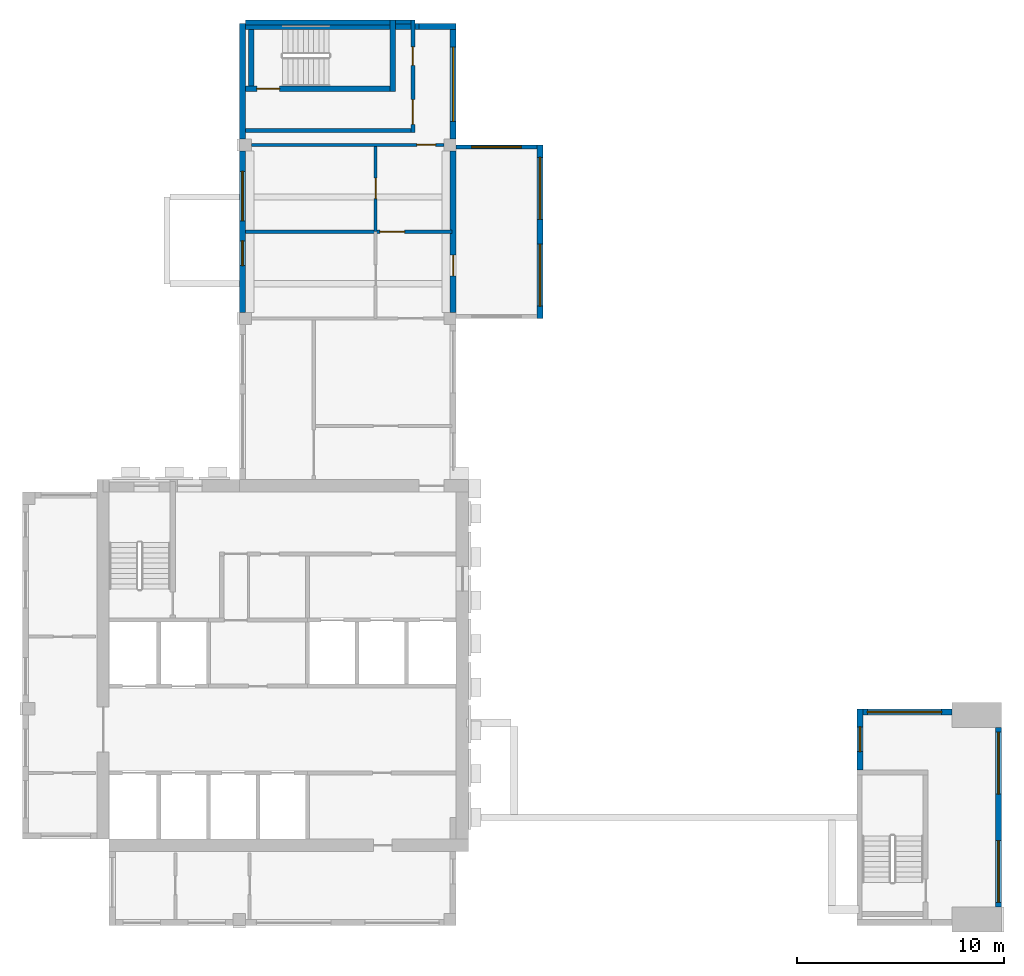
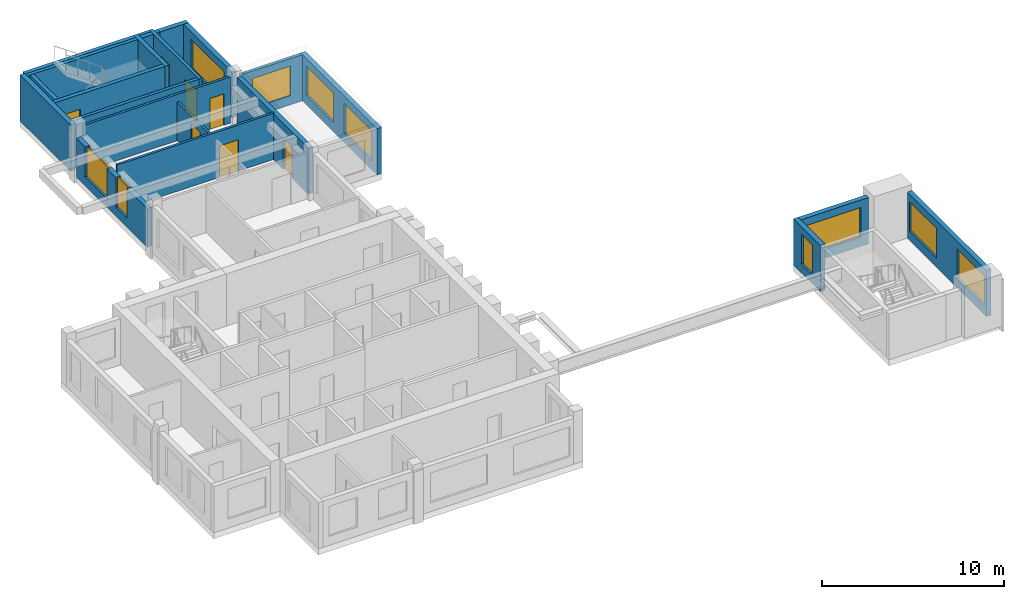
# One storey, part 4 of 8: 21 walls, 10 windows, 7 doors, 17 openings.
"""IFC4 building model written with IfcOpenShell, lengths in metres."""

from ifc_helpers import new_model, si_unit, direction, frame, frame_2d, origin, place, context, subcontext, project, spatial, rectangle, extrude, source, transform, mapped, material, layer, layer_set, type_object, element, fill, save


model = new_model("IFC4")

# Units and contexts
model_context = context("Model", 3, precision=1e-05, world=origin(), true_north=direction((0.0, 1.0)))
body_context = subcontext(model_context, "Body", "Model", "MODEL_VIEW")
ifc_project = project(units=[si_unit("LENGTHUNIT", "METRE"), si_unit("AREAUNIT", "SQUARE_METRE"), si_unit("VOLUMEUNIT", "CUBIC_METRE"), si_unit("PLANEANGLEUNIT", "RADIAN"), si_unit("MASSUNIT", "GRAM", prefix="KILO")], contexts=[model_context])

# Site, building, storey
site_placement = place(None, origin())
site = spatial("IfcSite", under=ifc_project, at=site_placement, CompositionType="ELEMENT")
building_placement = place(site_placement, origin())
building = spatial("IfcBuilding", under=site, at=building_placement, Name="Aurelian Terraces", CompositionType="ELEMENT")
storey_placement = place(building_placement, frame((0.0, 0.0, 344.0)))
storey = spatial("IfcBuildingStorey", under=building, at=storey_placement, Name="L81", CompositionType="ELEMENT", Elevation=344.0)

# Wall, opening, window
ifc_material_1 = material(Name="Concrete fc' 40 MPa", Category="concrete")
ifc_layer_1 = layer(ifc_material_1, 0.2)
ifc_layer_set_1 = layer_set([ifc_layer_1], Name="BOX BEARING WALL 200")
wall_type_1 = type_object("IfcWallType", Name="BOX BEARING WALL 200", PredefinedType="SOLIDWALL", material=ifc_layer_set_1)
shared_shape_1 = source(origin(), body_context, "Body", "SweptSolid", [
    extrude(rectangle(XDim=3.9, YDim=0.2, at=frame_2d((1.95, 0.0))), origin(), (0.0, 0.0, 1.0), 3.1),
])
wall_1_placement = place(storey_placement, frame((21.0, 37.7, 0.0), z_axis=(0.0, 0.0, 1.0), x_axis=(1.0, 0.0, 0.0)))
wall_1 = element("IfcWall", 1, at=wall_1_placement, inside=storey, type_object=wall_type_1, Name="Box return L81 J94.2", PredefinedType="SOLIDWALL", context=body_context, shape_type="MappedRepresentation", body=[
    mapped(shared_shape_1, transform((0.0, 0.0, 0.0), scale=1.0)),
])
shared_shape_2 = source(origin(), body_context, "Body", "SweptSolid", [
    extrude(rectangle(XDim=2.4, YDim=2.0, at=frame_2d((1.2, 1.0))), frame((0.0, 0.11, 0.0), z_axis=(0.0, -1.0, 0.0), x_axis=(1.0, 0.0, 0.0)), (0.0, 0.0, 1.0), 0.22),
])
opening_1_placement = place(wall_1_placement, frame((0.75, 0.0, 0.6)))
opening_1 = element("IfcOpeningElement", 2, at=opening_1_placement, cuts=wall_1, Name="Opening W2420", PredefinedType="OPENING", context=body_context, shape_type="MappedRepresentation", body=[
    mapped(shared_shape_2, transform((0.0, 0.0, 0.0), scale=1.0)),
])
ifc_material_2 = material(Name="Clear glazing", Category="glass")
window_type_1 = type_object("IfcWindowType", Name="W-2400x2000", PartitioningType="SINGLE_PANEL", PredefinedType="WINDOW", material=ifc_material_2)
shared_shape_3 = source(origin(), body_context, "Body", "SweptSolid", [
    extrude(rectangle(XDim=2.4, YDim=2.0, at=frame_2d((1.2, 1.0))), frame((0.0, 0.03, 0.0), z_axis=(0.0, -1.0, 0.0), x_axis=(1.0, 0.0, 0.0)), (0.0, 0.0, 1.0), 0.06),
])
window_1_placement = place(opening_1_placement, origin())
window_1 = element("IfcWindow", 3, at=window_1_placement, inside=storey, type_object=window_type_1, Name="Window L81 J94-S2", OverallHeight=2.0, OverallWidth=2.4, PartitioningType="SINGLE_PANEL", PredefinedType="WINDOW", context=body_context, shape_type="MappedRepresentation", body=[
    mapped(shared_shape_3, transform((0.0, 0.0, 0.0), scale=1.0)),
])
fill(opening_1, window_1)

# Walls
ifc_material_3 = material(Name="Terracotta rainscreen cladding", Category="masonry")
ifc_layer_2 = layer(ifc_material_3, 0.3)
ifc_layer_set_2 = layer_set([ifc_layer_2], Name="EW-300")
wall_type_2 = type_object("IfcWallType", Name="EW-300", PredefinedType="STANDARD", material=ifc_layer_set_2)
shared_shape_4 = source(origin(), body_context, "Body", "SweptSolid", [
    extrude(rectangle(XDim=1.8, YDim=0.3, at=frame_2d((0.9, 0.0))), origin(), (0.0, 0.0, 1.0), 3.1),
])
wall_2_placement = place(storey_placement, frame((21.0, 43.53, 0.0), z_axis=(0.0, 0.0, 1.0), x_axis=(-1.0, 0.0, 0.0)))
element("IfcWall", 4, at=wall_2_placement, inside=storey, type_object=wall_type_2, Name="External wall L81 F03.9", PredefinedType="STANDARD", context=body_context, shape_type="MappedRepresentation", body=[
    mapped(shared_shape_4, transform((0.0, 0.0, 0.0), scale=1.0)),
])
ifc_layer_3 = layer(ifc_material_1, 0.3)
ifc_layer_set_3 = layer_set([ifc_layer_3], Name="STAIR BAY WALL 300")
wall_type_3 = type_object("IfcWallType", Name="STAIR BAY WALL 300", PredefinedType="SOLIDWALL", material=ifc_layer_set_3)
shared_shape_5 = source(origin(), body_context, "Body", "SweptSolid", [
    extrude(rectangle(XDim=8.6, YDim=0.3, at=frame_2d((4.3, 0.0))), origin(), (0.0, 0.0, 1.0), 3.1),
])
wall_3_placement = place(storey_placement, frame((19.2, 43.53, 0.0), z_axis=(0.0, 0.0, 1.0), x_axis=(-1.0, 0.0, 0.0)))
element("IfcWall", 5, at=wall_3_placement, inside=storey, type_object=wall_type_3, Name="Stair bay wall L81 F03.9", PredefinedType="SOLIDWALL", context=body_context, shape_type="MappedRepresentation", body=[
    mapped(shared_shape_5, transform((0.0, 0.0, 0.0), scale=1.0)),
])

# Wall, opening, door
shared_shape_6 = source(origin(), body_context, "Body", "SweptSolid", [
    extrude(rectangle(XDim=7.8, YDim=0.3, at=frame_2d((3.9, 0.0))), origin(), (0.0, 0.0, 1.0), 3.1),
])
wall_4_placement = place(storey_placement, frame((20.85, 29.7, 0.0), z_axis=(0.0, 0.0, 1.0), x_axis=(0.0, 1.0, 0.0)))
wall_4 = element("IfcWall", 6, at=wall_4_placement, inside=storey, type_object=wall_type_2, Name="External wall L81 F02.7", PredefinedType="STANDARD", context=body_context, shape_type="MappedRepresentation", body=[
    mapped(shared_shape_6, transform((0.0, 0.0, 0.0), scale=1.0)),
])
shared_shape_7 = source(origin(), body_context, "Body", "SweptSolid", [
    extrude(rectangle(XDim=1.0, YDim=2.1, at=frame_2d((0.5, 1.05))), frame((0.0, 0.16, 0.0), z_axis=(0.0, -1.0, 0.0), x_axis=(1.0, 0.0, 0.0)), (0.0, 0.0, 1.0), 0.32),
])
opening_2_placement = place(wall_4_placement, frame((1.7667, 0.0, 0.0)))
opening_2 = element("IfcOpeningElement", 7, at=opening_2_placement, cuts=wall_4, Name="Opening 881001", PredefinedType="OPENING", context=body_context, shape_type="MappedRepresentation", body=[
    mapped(shared_shape_7, transform((0.0, 0.0, 0.0), scale=1.0)),
])
ifc_material_4 = material(Name="Timber door leaf", Category="wood")
door_type_1 = type_object("IfcDoorType", Name="Room door 1000x2100 left", OperationType="SINGLE_SWING_LEFT", PredefinedType="DOOR", material=ifc_material_4)
shared_shape_8 = source(origin(), body_context, "Body", "SweptSolid", [
    extrude(rectangle(XDim=1.0, YDim=2.1, at=frame_2d((0.5, 1.05))), frame((0.0, 0.025, 0.0), z_axis=(0.0, -1.0, 0.0), x_axis=(1.0, 0.0, 0.0)), (0.0, 0.0, 1.0), 0.05),
])
door_1_placement = place(opening_2_placement, origin())
door_1 = element("IfcDoor", 8, at=door_1_placement, inside=storey, type_object=door_type_1, Name="Door 881001", OperationType="SINGLE_SWING_LEFT", OverallHeight=2.1, OverallWidth=1.0, PredefinedType="DOOR", context=body_context, shape_type="MappedRepresentation", body=[
    mapped(shared_shape_8, transform((0.0, 0.0, 0.0), scale=1.0)),
])
fill(opening_2, door_1)

# Wall, openings, windows
shared_shape_9 = source(origin(), body_context, "Body", "SweptSolid", [
    extrude(rectangle(XDim=7.8, YDim=0.3, at=frame_2d((3.9, 0.0))), origin(), (0.0, 0.0, 1.0), 2.6),
])
wall_5_placement = place(storey_placement, frame((10.65, 37.5, 0.0), z_axis=(0.0, 0.0, 1.0), x_axis=(0.0, -1.0, 0.0)))
wall_5 = element("IfcWall", 9, at=wall_5_placement, inside=storey, type_object=wall_type_2, Name="External wall L81 F04.10", PredefinedType="STANDARD", context=body_context, shape_type="MappedRepresentation", body=[
    mapped(shared_shape_9, transform((0.0, 0.0, 0.0), scale=1.0)),
])
shared_shape_10 = source(origin(), body_context, "Body", "SweptSolid", [
    extrude(rectangle(XDim=1.2, YDim=2.0, at=frame_2d((0.6, 1.0))), frame((0.0, 0.16, 0.0), z_axis=(0.0, -1.0, 0.0), x_axis=(1.0, 0.0, 0.0)), (0.0, 0.0, 1.0), 0.32),
])
opening_3_placement = place(wall_5_placement, frame((4.3475, 0.0, 0.6)))
opening_3 = element("IfcOpeningElement", 10, at=opening_3_placement, cuts=wall_5, Name="Opening W1220", PredefinedType="OPENING", context=body_context, shape_type="MappedRepresentation", body=[
    mapped(shared_shape_10, transform((0.0, 0.0, 0.0), scale=1.0)),
])
shared_shape_11 = source(origin(), body_context, "Body", "SweptSolid", [
    extrude(rectangle(XDim=2.4, YDim=2.0, at=frame_2d((1.2, 1.0))), frame((0.0, 0.16, 0.0), z_axis=(0.0, -1.0, 0.0), x_axis=(1.0, 0.0, 0.0)), (0.0, 0.0, 1.0), 0.32),
])
opening_4_placement = place(wall_5_placement, frame((0.9737, 0.0, 0.6)))
opening_4 = element("IfcOpeningElement", 11, at=opening_4_placement, cuts=wall_5, Name="Opening W2420", PredefinedType="OPENING", context=body_context, shape_type="MappedRepresentation", body=[
    mapped(shared_shape_11, transform((0.0, 0.0, 0.0), scale=1.0)),
])
window_type_2 = type_object("IfcWindowType", Name="W-1200x2000", PartitioningType="SINGLE_PANEL", PredefinedType="WINDOW", material=ifc_material_2)
shared_shape_12 = source(origin(), body_context, "Body", "SweptSolid", [
    extrude(rectangle(XDim=1.2, YDim=2.0, at=frame_2d((0.6, 1.0))), frame((0.0, 0.03, 0.0), z_axis=(0.0, -1.0, 0.0), x_axis=(1.0, 0.0, 0.0)), (0.0, 0.0, 1.0), 0.06),
])
window_2_placement = place(opening_3_placement, origin())
window_2 = element("IfcWindow", 12, at=window_2_placement, inside=storey, type_object=window_type_2, Name="Window L81 L81-F04-10-2", OverallHeight=2.0, OverallWidth=1.2, PartitioningType="SINGLE_PANEL", PredefinedType="WINDOW", context=body_context, shape_type="MappedRepresentation", body=[
    mapped(shared_shape_12, transform((0.0, 0.0, 0.0), scale=1.0)),
])
fill(opening_3, window_2)
window_3_placement = place(opening_4_placement, origin())
window_3 = element("IfcWindow", 13, at=window_3_placement, inside=storey, type_object=window_type_1, Name="Window L81 L81-F04-10-G1-62", OverallHeight=2.0, OverallWidth=2.4, PartitioningType="SINGLE_PANEL", PredefinedType="WINDOW", context=body_context, shape_type="MappedRepresentation", body=[
    mapped(shared_shape_3, transform((0.0, 0.0, 0.0), scale=1.0)),
])
fill(opening_4, window_3)

# Wall, opening, window
shared_shape_13 = source(origin(), body_context, "Body", "SweptSolid", [
    extrude(rectangle(XDim=5.58, YDim=0.3, at=frame_2d((2.79, 0.0))), origin(), (0.0, 0.0, 1.0), 3.1),
])
wall_6_placement = place(storey_placement, frame((20.85, 38.1, 0.0), z_axis=(0.0, 0.0, 1.0), x_axis=(0.0, 1.0, 0.0)))
wall_6 = element("IfcWall", 14, at=wall_6_placement, inside=storey, type_object=wall_type_2, Name="External wall L81 F02.8", PredefinedType="STANDARD", context=body_context, shape_type="MappedRepresentation", body=[
    mapped(shared_shape_13, transform((0.0, 0.0, 0.0), scale=1.0)),
])
shared_shape_14 = source(origin(), body_context, "Body", "SweptSolid", [
    extrude(rectangle(XDim=3.6, YDim=2.0, at=frame_2d((1.8, 1.0))), frame((0.0, 0.16, 0.0), z_axis=(0.0, -1.0, 0.0), x_axis=(1.0, 0.0, 0.0)), (0.0, 0.0, 1.0), 0.32),
])
opening_5_placement = place(wall_6_placement, frame((0.84, 0.0, 0.6)))
opening_5 = element("IfcOpeningElement", 15, at=opening_5_placement, cuts=wall_6, Name="Opening W3620", PredefinedType="OPENING", context=body_context, shape_type="MappedRepresentation", body=[
    mapped(shared_shape_14, transform((0.0, 0.0, 0.0), scale=1.0)),
])
window_type_3 = type_object("IfcWindowType", Name="W-3600x2000", PartitioningType="SINGLE_PANEL", PredefinedType="WINDOW", material=ifc_material_2)
shared_shape_15 = source(origin(), body_context, "Body", "SweptSolid", [
    extrude(rectangle(XDim=3.6, YDim=2.0, at=frame_2d((1.8, 1.0))), frame((0.0, 0.03, 0.0), z_axis=(0.0, -1.0, 0.0), x_axis=(1.0, 0.0, 0.0)), (0.0, 0.0, 1.0), 0.06),
])
window_4_placement = place(opening_5_placement, origin())
window_4 = element("IfcWindow", 16, at=window_4_placement, inside=storey, type_object=window_type_3, Name="Window L81 L81-F02-08-0", OverallHeight=2.0, OverallWidth=3.6, PartitioningType="SINGLE_PANEL", PredefinedType="WINDOW", context=body_context, shape_type="MappedRepresentation", body=[
    mapped(shared_shape_15, transform((0.0, 0.0, 0.0), scale=1.0)),
])
fill(opening_5, window_4)

# Wall
shared_shape_16 = source(origin(), body_context, "Body", "SweptSolid", [
    extrude(rectangle(XDim=5.58, YDim=0.3, at=frame_2d((2.79, 0.0))), origin(), (0.0, 0.0, 1.0), 3.1),
])
wall_7_placement = place(storey_placement, frame((10.65, 43.68, 0.0), z_axis=(0.0, 0.0, 1.0), x_axis=(0.0, -1.0, 0.0)))
element("IfcWall", 17, at=wall_7_placement, inside=storey, type_object=wall_type_3, Name="Stair bay wall L81 F04.10", PredefinedType="SOLIDWALL", context=body_context, shape_type="MappedRepresentation", body=[
    mapped(shared_shape_16, transform((0.0, 0.0, 0.0), scale=1.0)),
])

# Wall, openings, windows
ifc_layer_4 = layer(ifc_material_1, 0.3)
ifc_layer_set_4 = layer_set([ifc_layer_4], Name="BOX BEARING WALL 300")
wall_type_4 = type_object("IfcWallType", Name="BOX BEARING WALL 300", PredefinedType="SOLIDWALL", material=ifc_layer_set_4)
shared_shape_17 = source(origin(), body_context, "Body", "SweptSolid", [
    extrude(rectangle(XDim=8.4, YDim=0.3, at=frame_2d((4.2, 0.0))), origin(), (0.0, 0.0, 1.0), 3.1),
])
wall_8_placement = place(storey_placement, frame((25.05, 29.4, 0.0), z_axis=(0.0, 0.0, 1.0), x_axis=(0.0, 1.0, 0.0)))
wall_8 = element("IfcWall", 18, at=wall_8_placement, inside=storey, type_object=wall_type_4, Name="Box wall L81 J94", PredefinedType="SOLIDWALL", context=body_context, shape_type="MappedRepresentation", body=[
    mapped(shared_shape_17, transform((0.0, 0.0, 0.0), scale=1.0)),
])
shared_shape_18 = source(origin(), body_context, "Body", "SweptSolid", [
    extrude(rectangle(XDim=3.0, YDim=2.0, at=frame_2d((1.5, 1.0))), frame((0.0, 0.16, 0.0), z_axis=(0.0, -1.0, 0.0), x_axis=(1.0, 0.0, 0.0)), (0.0, 0.0, 1.0), 0.32),
])
opening_6_placement = place(wall_8_placement, frame((0.6, 0.0, 0.6)))
opening_6 = element("IfcOpeningElement", 19, at=opening_6_placement, cuts=wall_8, Name="Opening W3020", PredefinedType="OPENING", context=body_context, shape_type="MappedRepresentation", body=[
    mapped(shared_shape_18, transform((0.0, 0.0, 0.0), scale=1.0)),
])
opening_7_placement = place(wall_8_placement, frame((4.8, 0.0, 0.6)))
opening_7 = element("IfcOpeningElement", 20, at=opening_7_placement, cuts=wall_8, Name="Opening W3020", PredefinedType="OPENING", context=body_context, shape_type="MappedRepresentation", body=[
    mapped(shared_shape_18, transform((0.0, 0.0, 0.0), scale=1.0)),
])
window_type_4 = type_object("IfcWindowType", Name="W-3000x2000", PartitioningType="SINGLE_PANEL", PredefinedType="WINDOW", material=ifc_material_2)
shared_shape_19 = source(origin(), body_context, "Body", "SweptSolid", [
    extrude(rectangle(XDim=3.0, YDim=2.0, at=frame_2d((1.5, 1.0))), frame((0.0, 0.03, 0.0), z_axis=(0.0, -1.0, 0.0), x_axis=(1.0, 0.0, 0.0)), (0.0, 0.0, 1.0), 0.06),
])
window_5_placement = place(opening_6_placement, origin())
window_5 = element("IfcWindow", 21, at=window_5_placement, inside=storey, type_object=window_type_4, Name="Window L81 J94-F1", OverallHeight=2.0, OverallWidth=3.0, PartitioningType="SINGLE_PANEL", PredefinedType="WINDOW", context=body_context, shape_type="MappedRepresentation", body=[
    mapped(shared_shape_19, transform((0.0, 0.0, 0.0), scale=1.0)),
])
fill(opening_6, window_5)
window_6_placement = place(opening_7_placement, origin())
window_6 = element("IfcWindow", 22, at=window_6_placement, inside=storey, type_object=window_type_4, Name="Window L81 J94-F2", OverallHeight=2.0, OverallWidth=3.0, PartitioningType="SINGLE_PANEL", PredefinedType="WINDOW", context=body_context, shape_type="MappedRepresentation", body=[
    mapped(shared_shape_19, transform((0.0, 0.0, 0.0), scale=1.0)),
])
fill(opening_7, window_6)

shared_shape_20 = source(origin(), body_context, "Body", "SweptSolid", [
    extrude(rectangle(XDim=8.7, YDim=0.3, at=frame_2d((4.35, 0.0))), origin(), (0.0, 0.0, 1.0), 3.1),
])
wall_9_placement = place(storey_placement, frame((47.25, 0.9, 0.0), z_axis=(0.0, 0.0, 1.0), x_axis=(0.0, 1.0, 0.0)))
wall_9 = element("IfcWall", 23, at=wall_9_placement, inside=storey, type_object=wall_type_2, Name="External wall L81 F14.21", PredefinedType="STANDARD", context=body_context, shape_type="MappedRepresentation", body=[
    mapped(shared_shape_20, transform((0.0, 0.0, 0.0), scale=1.0)),
])
opening_8_placement = place(wall_9_placement, frame((0.225, 0.0, 0.6)))
opening_8 = element("IfcOpeningElement", 24, at=opening_8_placement, cuts=wall_9, Name="Opening W3020", PredefinedType="OPENING", context=body_context, shape_type="MappedRepresentation", body=[
    mapped(shared_shape_18, transform((0.0, 0.0, 0.0), scale=1.0)),
])
opening_9_placement = place(wall_9_placement, frame((5.475, 0.0, 0.6)))
opening_9 = element("IfcOpeningElement", 25, at=opening_9_placement, cuts=wall_9, Name="Opening W3020", PredefinedType="OPENING", context=body_context, shape_type="MappedRepresentation", body=[
    mapped(shared_shape_18, transform((0.0, 0.0, 0.0), scale=1.0)),
])
window_7_placement = place(opening_8_placement, origin())
window_7 = element("IfcWindow", 26, at=window_7_placement, inside=storey, type_object=window_type_4, Name="Window L81 L81-F14-21-0", OverallHeight=2.0, OverallWidth=3.0, PartitioningType="SINGLE_PANEL", PredefinedType="WINDOW", context=body_context, shape_type="MappedRepresentation", body=[
    mapped(shared_shape_19, transform((0.0, 0.0, 0.0), scale=1.0)),
])
fill(opening_8, window_7)
window_8_placement = place(opening_9_placement, origin())
window_8 = element("IfcWindow", 27, at=window_8_placement, inside=storey, type_object=window_type_4, Name="Window L81 L81-F14-21-1", OverallHeight=2.0, OverallWidth=3.0, PartitioningType="SINGLE_PANEL", PredefinedType="WINDOW", context=body_context, shape_type="MappedRepresentation", body=[
    mapped(shared_shape_19, transform((0.0, 0.0, 0.0), scale=1.0)),
])
fill(opening_9, window_8)

# Wall, opening, window
shared_shape_21 = source(origin(), body_context, "Body", "SweptSolid", [
    extrude(rectangle(XDim=2.95, YDim=0.3, at=frame_2d((1.475, 0.0))), origin(), (0.0, 0.0, 1.0), 3.1),
])
wall_10_placement = place(storey_placement, frame((40.55, 10.5, 0.0), z_axis=(0.0, 0.0, 1.0), x_axis=(0.0, -1.0, 0.0)))
wall_10 = element("IfcWall", 28, at=wall_10_placement, inside=storey, type_object=wall_type_2, Name="External wall L81 F16.23", PredefinedType="STANDARD", context=body_context, shape_type="MappedRepresentation", body=[
    mapped(shared_shape_21, transform((0.0, 0.0, 0.0), scale=1.0)),
])
opening_10_placement = place(wall_10_placement, frame((0.875, 0.0, 0.6)))
opening_10 = element("IfcOpeningElement", 29, at=opening_10_placement, cuts=wall_10, Name="Opening W1220", PredefinedType="OPENING", context=body_context, shape_type="MappedRepresentation", body=[
    mapped(shared_shape_10, transform((0.0, 0.0, 0.0), scale=1.0)),
])
window_9_placement = place(opening_10_placement, origin())
window_9 = element("IfcWindow", 30, at=window_9_placement, inside=storey, type_object=window_type_2, Name="Window L81 L81-F16-23-0", OverallHeight=2.0, OverallWidth=1.2, PartitioningType="SINGLE_PANEL", PredefinedType="WINDOW", context=body_context, shape_type="MappedRepresentation", body=[
    mapped(shared_shape_12, transform((0.0, 0.0, 0.0), scale=1.0)),
])
fill(opening_10, window_9)

shared_shape_22 = source(origin(), body_context, "Body", "SweptSolid", [
    extrude(rectangle(XDim=4.6, YDim=0.3, at=frame_2d((2.3, 0.0))), origin(), (0.0, 0.0, 1.0), 3.1),
])
wall_11_placement = place(storey_placement, frame((45.0, 10.35, 0.0), z_axis=(0.0, 0.0, 1.0), x_axis=(-1.0, 0.0, 0.0)))
wall_11 = element("IfcWall", 31, at=wall_11_placement, inside=storey, type_object=wall_type_2, Name="External wall L81 F15.22", PredefinedType="STANDARD", context=body_context, shape_type="MappedRepresentation", body=[
    mapped(shared_shape_22, transform((0.0, 0.0, 0.0), scale=1.0)),
])
opening_11_placement = place(wall_11_placement, frame((0.5, 0.0, 0.6)))
opening_11 = element("IfcOpeningElement", 32, at=opening_11_placement, cuts=wall_11, Name="Opening W3620", PredefinedType="OPENING", context=body_context, shape_type="MappedRepresentation", body=[
    mapped(shared_shape_14, transform((0.0, 0.0, 0.0), scale=1.0)),
])
window_10_placement = place(opening_11_placement, origin())
window_10 = element("IfcWindow", 33, at=window_10_placement, inside=storey, type_object=window_type_3, Name="Window L81 L81-F15-22-P0", OverallHeight=2.0, OverallWidth=3.6, PartitioningType="SINGLE_PANEL", PredefinedType="WINDOW", context=body_context, shape_type="MappedRepresentation", body=[
    mapped(shared_shape_15, transform((0.0, 0.0, 0.0), scale=1.0)),
])
fill(opening_11, window_10)

# Wall, opening, door
ifc_layer_5 = layer(ifc_material_1, 0.25)
ifc_layer_set_5 = layer_set([ifc_layer_5], Name="Stair enclosure wall 250")
wall_type_5 = type_object("IfcWallType", Name="Stair enclosure wall 250", PredefinedType="SOLIDWALL", material=ifc_layer_set_5)
shared_shape_23 = source(origin(), body_context, "Body", "SweptSolid", [
    extrude(rectangle(XDim=7.0, YDim=0.25, at=frame_2d((3.5, 0.0))), origin(), (0.0, 0.0, 1.0), 3.1),
])
wall_12_placement = place(storey_placement, frame((10.8, 40.525, 0.0), z_axis=(0.0, 0.0, 1.0), x_axis=(1.0, 0.0, 0.0)))
wall_12 = element("IfcWall", 34, at=wall_12_placement, inside=storey, type_object=wall_type_5, Name="L81 core wall ST-S3U-W", PredefinedType="SOLIDWALL", context=body_context, shape_type="MappedRepresentation", body=[
    mapped(shared_shape_23, transform((0.0, 0.0, 0.0), scale=1.0)),
])
shared_shape_24 = source(origin(), body_context, "Body", "SweptSolid", [
    extrude(rectangle(XDim=1.1, YDim=2.1, at=frame_2d((0.55, 1.05))), frame((0.0, 0.135, 0.0), z_axis=(0.0, -1.0, 0.0), x_axis=(1.0, 0.0, 0.0)), (0.0, 0.0, 1.0), 0.27),
])
opening_12_placement = place(wall_12_placement, frame((0.55, 0.0, 0.0)))
opening_12 = element("IfcOpeningElement", 35, at=opening_12_placement, cuts=wall_12, Name="Opening 68417", PredefinedType="OPENING", context=body_context, shape_type="MappedRepresentation", body=[
    mapped(shared_shape_24, transform((0.0, 0.0, 0.0), scale=1.0)),
])
ifc_material_5 = material(Name="Steel door leaf", Category="steel")
door_type_2 = type_object("IfcDoorType", Name="Core fire door 1100x2100 right", OperationType="SINGLE_SWING_RIGHT", PredefinedType="DOOR", material=ifc_material_5)
shared_shape_25 = source(origin(), body_context, "Body", "SweptSolid", [
    extrude(rectangle(XDim=1.1, YDim=2.1, at=frame_2d((0.55, 1.05))), frame((0.0, 0.025, 0.0), z_axis=(0.0, -1.0, 0.0), x_axis=(1.0, 0.0, 0.0)), (0.0, 0.0, 1.0), 0.05),
])
door_2_placement = place(opening_12_placement, origin())
door_2 = element("IfcDoor", 36, at=door_2_placement, inside=storey, type_object=door_type_2, Name="Stair door 68417", OperationType="SINGLE_SWING_RIGHT", OverallHeight=2.1, OverallWidth=1.1, PredefinedType="DOOR", context=body_context, shape_type="MappedRepresentation", body=[
    mapped(shared_shape_25, transform((0.0, 0.0, 0.0), scale=1.0)),
])
fill(opening_12, door_2)

# Walls
wall_13_placement = place(storey_placement, frame((10.8, 43.725, 0.0), z_axis=(0.0, 0.0, 1.0), x_axis=(1.0, 0.0, 0.0)))
element("IfcWall", 37, at=wall_13_placement, inside=storey, type_object=wall_type_5, Name="L81 core wall ST-S3U-E", PredefinedType="SOLIDWALL", context=body_context, shape_type="MappedRepresentation", body=[
    mapped(shared_shape_23, transform((0.0, 0.0, 0.0), scale=1.0)),
])
shared_shape_26 = source(origin(), body_context, "Body", "SweptSolid", [
    extrude(rectangle(XDim=3.45, YDim=0.25, at=frame_2d((1.725, 0.0))), origin(), (0.0, 0.0, 1.0), 3.1),
])
wall_14_placement = place(storey_placement, frame((17.925, 40.4, 0.0), z_axis=(0.0, 0.0, 1.0), x_axis=(0.0, 1.0, 0.0)))
element("IfcWall", 38, at=wall_14_placement, inside=storey, type_object=wall_type_5, Name="L81 core wall ST-S3U-N", PredefinedType="SOLIDWALL", context=body_context, shape_type="MappedRepresentation", body=[
    mapped(shared_shape_26, transform((0.0, 0.0, 0.0), scale=1.0)),
])
ifc_material_6 = material(Name="Gypsum board on steel studs", Category="steel")
ifc_layer_6 = layer(ifc_material_6, 0.2)
ifc_layer_set_6 = layer_set([ifc_layer_6], Name="Core partition 200")
wall_type_6 = type_object("IfcWallType", Name="Core partition 200", PredefinedType="PARTITIONING", material=ifc_layer_set_6)
shared_shape_27 = source(origin(), body_context, "Body", "SweptSolid", [
    extrude(rectangle(XDim=8.0, YDim=0.2, at=frame_2d((4.0, 0.0))), origin(), (0.0, 0.0, 1.0), 3.1),
])
wall_15_placement = place(storey_placement, frame((10.8, 38.5, 0.0), z_axis=(0.0, 0.0, 1.0), x_axis=(1.0, 0.0, 0.0)))
element("IfcWall", 39, at=wall_15_placement, inside=storey, type_object=wall_type_6, Name="L81 core wall ST-S3U-VW", PredefinedType="PARTITIONING", context=body_context, shape_type="MappedRepresentation", body=[
    mapped(shared_shape_27, transform((0.0, 0.0, 0.0), scale=1.0)),
])

# Wall, openings, doors
shared_shape_28 = source(origin(), body_context, "Body", "SweptSolid", [
    extrude(rectangle(XDim=5.45, YDim=0.2, at=frame_2d((2.725, 0.0))), origin(), (0.0, 0.0, 1.0), 3.1),
])
wall_16_placement = place(storey_placement, frame((18.9, 38.4, 0.0), z_axis=(0.0, 0.0, 1.0), x_axis=(0.0, 1.0, 0.0)))
wall_16 = element("IfcWall", 40, at=wall_16_placement, inside=storey, type_object=wall_type_6, Name="L81 core wall ST-S3U-BN", PredefinedType="PARTITIONING", context=body_context, shape_type="MappedRepresentation", body=[
    mapped(shared_shape_28, transform((0.0, 0.0, 0.0), scale=1.0)),
])
shared_shape_29 = source(origin(), body_context, "Body", "SweptSolid", [
    extrude(rectangle(XDim=1.2, YDim=2.1, at=frame_2d((0.6, 1.05))), frame((0.0, 0.11, 0.0), z_axis=(0.0, -1.0, 0.0), x_axis=(1.0, 0.0, 0.0)), (0.0, 0.0, 1.0), 0.22),
])
opening_13_placement = place(wall_16_placement, frame((0.4, 0.0, 0.0)))
opening_13 = element("IfcOpeningElement", 41, at=opening_13_placement, cuts=wall_16, Name="Opening 68418", PredefinedType="OPENING", context=body_context, shape_type="MappedRepresentation", body=[
    mapped(shared_shape_29, transform((0.0, 0.0, 0.0), scale=1.0)),
])
shared_shape_30 = source(origin(), body_context, "Body", "SweptSolid", [
    extrude(rectangle(XDim=0.9, YDim=2.1, at=frame_2d((0.45, 1.05))), frame((0.0, 0.11, 0.0), z_axis=(0.0, -1.0, 0.0), x_axis=(1.0, 0.0, 0.0)), (0.0, 0.0, 1.0), 0.22),
])
opening_14_placement = place(wall_16_placement, frame((3.25, 0.0, 0.0)))
opening_14 = element("IfcOpeningElement", 42, at=opening_14_placement, cuts=wall_16, Name="Opening 68419", PredefinedType="OPENING", context=body_context, shape_type="MappedRepresentation", body=[
    mapped(shared_shape_30, transform((0.0, 0.0, 0.0), scale=1.0)),
])
door_type_3 = type_object("IfcDoorType", Name="Core riser door 900x2100 right", OperationType="SINGLE_SWING_RIGHT", PredefinedType="DOOR", material=ifc_material_5)
shared_shape_31 = source(origin(), body_context, "Body", "SweptSolid", [
    extrude(rectangle(XDim=0.9, YDim=2.1, at=frame_2d((0.45, 1.05))), frame((0.0, 0.025, 0.0), z_axis=(0.0, -1.0, 0.0), x_axis=(1.0, 0.0, 0.0)), (0.0, 0.0, 1.0), 0.05),
])
door_3_placement = place(opening_14_placement, origin())
door_3 = element("IfcDoor", 43, at=door_3_placement, inside=storey, type_object=door_type_3, Name="Riser door 68419", OperationType="SINGLE_SWING_RIGHT", OverallHeight=2.1, OverallWidth=0.9, PredefinedType="DOOR", context=body_context, shape_type="MappedRepresentation", body=[
    mapped(shared_shape_31, transform((0.0, 0.0, 0.0), scale=1.0)),
])
fill(opening_14, door_3)
door_type_4 = type_object("IfcDoorType", Name="Core fire door 1200x2100", OperationType="SINGLE_SWING_LEFT", PredefinedType="DOOR", material=ifc_material_5)
shared_shape_32 = source(origin(), body_context, "Body", "SweptSolid", [
    extrude(rectangle(XDim=1.2, YDim=2.1, at=frame_2d((0.6, 1.05))), frame((0.0, 0.025, 0.0), z_axis=(0.0, -1.0, 0.0), x_axis=(1.0, 0.0, 0.0)), (0.0, 0.0, 1.0), 0.05),
])
door_4_placement = place(opening_13_placement, origin())
door_4 = element("IfcDoor", 44, at=door_4_placement, inside=storey, type_object=door_type_4, Name="Vestibule door 68418", OperationType="SINGLE_SWING_LEFT", OverallHeight=2.1, OverallWidth=1.2, PredefinedType="DOOR", context=body_context, shape_type="MappedRepresentation", body=[
    mapped(shared_shape_32, transform((0.0, 0.0, 0.0), scale=1.0)),
])
fill(opening_13, door_4)

# Walls
shared_shape_33 = source(origin(), body_context, "Body", "SweptSolid", [
    extrude(rectangle(XDim=0.75, YDim=0.2, at=frame_2d((0.375, 0.0))), origin(), (0.0, 0.0, 1.0), 3.1),
])
wall_17_placement = place(storey_placement, frame((18.05, 43.75, 0.0), z_axis=(0.0, 0.0, 1.0), x_axis=(1.0, 0.0, 0.0)))
element("IfcWall", 45, at=wall_17_placement, inside=storey, type_object=wall_type_6, Name="L81 core wall ST-S3U-RE", PredefinedType="PARTITIONING", context=body_context, shape_type="MappedRepresentation", body=[
    mapped(shared_shape_33, transform((0.0, 0.0, 0.0), scale=1.0)),
])
shared_shape_34 = source(origin(), body_context, "Body", "SweptSolid", [
    extrude(rectangle(XDim=2.73, YDim=0.25, at=frame_2d((1.365, 0.0))), origin(), (0.0, 0.0, 1.0), 3.1),
])
wall_18_placement = place(storey_placement, frame((11.075, 40.65, 0.0), z_axis=(0.0, 0.0, 1.0), x_axis=(0.0, 1.0, 0.0)))
element("IfcWall", 46, at=wall_18_placement, inside=storey, type_object=wall_type_5, Name="L81 core wall ST-S3U-SS", PredefinedType="SOLIDWALL", context=body_context, shape_type="MappedRepresentation", body=[
    mapped(shared_shape_34, transform((0.0, 0.0, 0.0), scale=1.0)),
])

# Wall, opening, door
ifc_layer_7 = layer(ifc_material_6, 0.15)
ifc_layer_set_7 = layer_set([ifc_layer_7], Name="Partition 150")
wall_type_7 = type_object("IfcWallType", Name="Partition 150", PredefinedType="PARTITIONING", material=ifc_layer_set_7)
shared_shape_35 = source(origin(), body_context, "Body", "SweptSolid", [
    extrude(rectangle(XDim=9.302, YDim=0.15, at=frame_2d((4.651, 0.0))), origin(), (0.0, 0.0, 1.0), 3.1),
])
wall_19_placement = place(storey_placement, frame((20.401, 37.8, 0.0), z_axis=(0.0, 0.0, 1.0), x_axis=(-1.0, 0.0, 0.0)))
wall_19 = element("IfcWall", 47, at=wall_19_placement, inside=storey, type_object=wall_type_7, Name="Partition", PredefinedType="PARTITIONING", context=body_context, shape_type="MappedRepresentation", body=[
    mapped(shared_shape_35, transform((0.0, 0.0, 0.0), scale=1.0)),
])
shared_shape_36 = source(origin(), body_context, "Body", "SweptSolid", [
    extrude(rectangle(XDim=0.9, YDim=2.1, at=frame_2d((0.45, 1.05))), frame((0.0, 0.085, 0.0), z_axis=(0.0, -1.0, 0.0), x_axis=(1.0, 0.0, 0.0)), (0.0, 0.0, 1.0), 0.17),
])
opening_15_placement = place(wall_19_placement, frame((0.401, 0.0, 0.0)))
opening_15 = element("IfcOpeningElement", 48, at=opening_15_placement, cuts=wall_19, Name="Opening 781011", PredefinedType="OPENING", context=body_context, shape_type="MappedRepresentation", body=[
    mapped(shared_shape_36, transform((0.0, 0.0, 0.0), scale=1.0)),
])
door_type_5 = type_object("IfcDoorType", Name="Room door 900x2100 right", OperationType="SINGLE_SWING_RIGHT", PredefinedType="DOOR", material=ifc_material_4)
door_5_placement = place(opening_15_placement, origin())
door_5 = element("IfcDoor", 49, at=door_5_placement, inside=storey, type_object=door_type_5, Name="Door 781011", OperationType="SINGLE_SWING_RIGHT", OverallHeight=2.1, OverallWidth=0.9, PredefinedType="DOOR", context=body_context, shape_type="MappedRepresentation", body=[
    mapped(shared_shape_31, transform((0.0, 0.0, 0.0), scale=1.0)),
])
fill(opening_15, door_5)

shared_shape_37 = source(origin(), body_context, "Body", "SweptSolid", [
    extrude(rectangle(XDim=9.995, YDim=0.15, at=frame_2d((4.9975, 0.0))), origin(), (0.0, 0.0, 1.0), 3.1),
])
wall_20_placement = place(storey_placement, frame((10.8, 33.6, 0.0), z_axis=(0.0, 0.0, 1.0), x_axis=(1.0, 0.0, 0.0)))
wall_20 = element("IfcWall", 50, at=wall_20_placement, inside=storey, type_object=wall_type_7, Name="Partition", PredefinedType="PARTITIONING", context=body_context, shape_type="MappedRepresentation", body=[
    mapped(shared_shape_37, transform((0.0, 0.0, 0.0), scale=1.0)),
])
shared_shape_38 = source(origin(), body_context, "Body", "SweptSolid", [
    extrude(rectangle(XDim=1.2, YDim=2.1, at=frame_2d((0.6, 1.05))), frame((0.0, 0.085, 0.0), z_axis=(0.0, -1.0, 0.0), x_axis=(1.0, 0.0, 0.0)), (0.0, 0.0, 1.0), 0.17),
])
opening_16_placement = place(wall_20_placement, frame((6.5, 0.0, 0.0)))
opening_16 = element("IfcOpeningElement", 51, at=opening_16_placement, cuts=wall_20, Name="Opening 781009", PredefinedType="OPENING", context=body_context, shape_type="MappedRepresentation", body=[
    mapped(shared_shape_38, transform((0.0, 0.0, 0.0), scale=1.0)),
])
door_type_6 = type_object("IfcDoorType", Name="Room door 1200x2100 right", OperationType="SINGLE_SWING_RIGHT", PredefinedType="DOOR", material=ifc_material_4)
door_6_placement = place(opening_16_placement, origin())
door_6 = element("IfcDoor", 52, at=door_6_placement, inside=storey, type_object=door_type_6, Name="Door 781009", OperationType="SINGLE_SWING_RIGHT", OverallHeight=2.1, OverallWidth=1.2, PredefinedType="DOOR", context=body_context, shape_type="MappedRepresentation", body=[
    mapped(shared_shape_32, transform((0.0, 0.0, 0.0), scale=1.0)),
])
fill(opening_16, door_6)

shared_shape_39 = source(origin(), body_context, "Body", "SweptSolid", [
    extrude(rectangle(XDim=4.105, YDim=0.15, at=frame_2d((2.0525, 0.0))), origin(), (0.0, 0.0, 1.0), 2.6),
])
wall_21_placement = place(storey_placement, frame((17.1, 37.725, 0.0), z_axis=(0.0, 0.0, 1.0), x_axis=(0.0, -1.0, 0.0)))
wall_21 = element("IfcWall", 53, at=wall_21_placement, inside=storey, type_object=wall_type_7, Name="Partition", PredefinedType="PARTITIONING", context=body_context, shape_type="MappedRepresentation", body=[
    mapped(shared_shape_39, transform((0.0, 0.0, 0.0), scale=1.0)),
])
shared_shape_40 = source(origin(), body_context, "Body", "SweptSolid", [
    extrude(rectangle(XDim=1.0, YDim=2.1, at=frame_2d((0.5, 1.05))), frame((0.0, 0.085, 0.0), z_axis=(0.0, -1.0, 0.0), x_axis=(1.0, 0.0, 0.0)), (0.0, 0.0, 1.0), 0.17),
])
opening_17_placement = place(wall_21_placement, frame((1.525, 0.0, 0.0)))
opening_17 = element("IfcOpeningElement", 54, at=opening_17_placement, cuts=wall_21, Name="Opening 781007", PredefinedType="OPENING", context=body_context, shape_type="MappedRepresentation", body=[
    mapped(shared_shape_40, transform((0.0, 0.0, 0.0), scale=1.0)),
])
door_7_placement = place(opening_17_placement, origin())
door_7 = element("IfcDoor", 55, at=door_7_placement, inside=storey, type_object=door_type_1, Name="Door 781007", OperationType="SINGLE_SWING_LEFT", OverallHeight=2.1, OverallWidth=1.0, PredefinedType="DOOR", context=body_context, shape_type="MappedRepresentation", body=[
    mapped(shared_shape_8, transform((0.0, 0.0, 0.0), scale=1.0)),
])
fill(opening_17, door_7)

save(model, "model.ifc")
